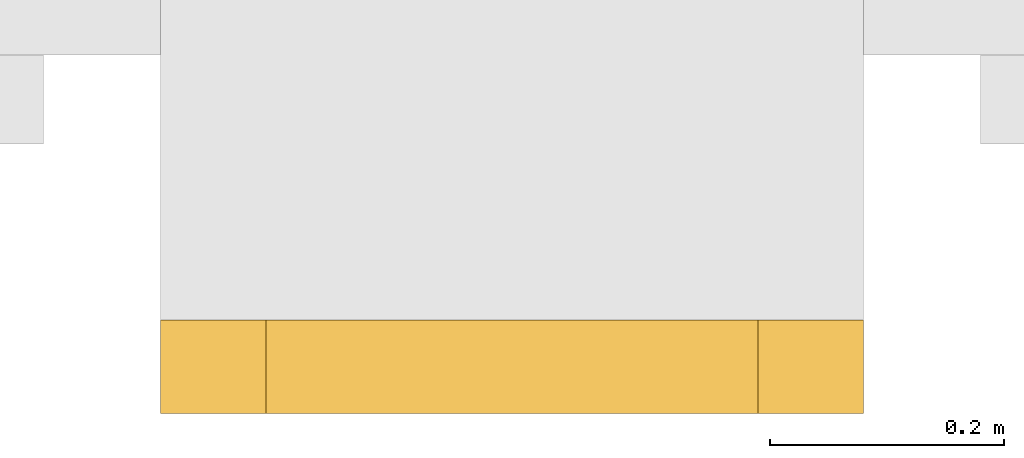
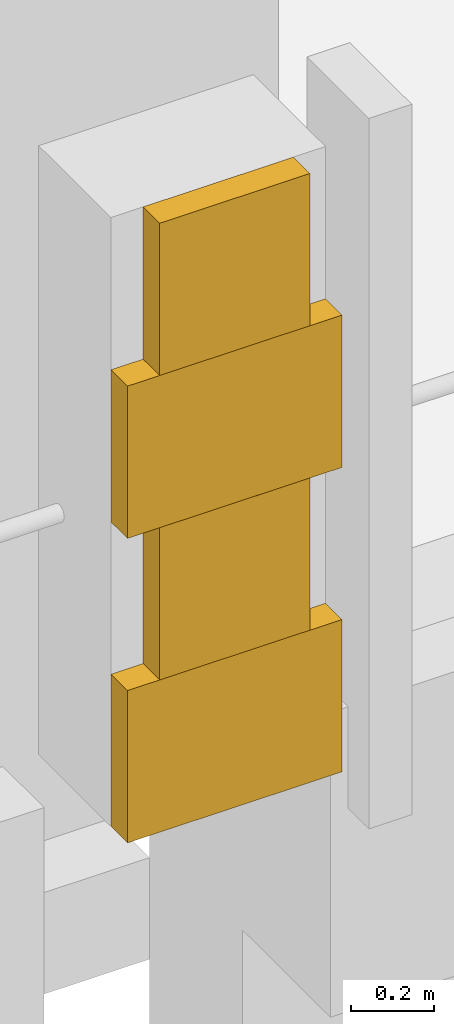
# One storey, part 60 of 62: 4 coverings.
"""IFC4 building model written with IfcOpenShell, lengths in metres."""

from ifc_helpers import new_model, si_unit, direction, frame, origin, place, context, subcontext, project, spatial, polyline, outline, extrude, material, layer, layer_set, type_object, element, save


model = new_model("IFC4")

# Units and contexts
model_context = context("Model", 3, precision=1e-05, world=origin(), true_north=direction((0.0, 1.0)))
body_context = subcontext(model_context, "Body", "Model", "MODEL_VIEW")
ifc_project = project(units=[si_unit("LENGTHUNIT", "METRE"), si_unit("AREAUNIT", "SQUARE_METRE"), si_unit("VOLUMEUNIT", "CUBIC_METRE"), si_unit("PLANEANGLEUNIT", "RADIAN"), si_unit("MASSUNIT", "GRAM", prefix="KILO")], contexts=[model_context])

# Site, building, storey
site_placement = place(None, origin())
site = spatial("IfcSite", under=ifc_project, at=site_placement, CompositionType="ELEMENT")
building_placement = place(site_placement, origin())
building = spatial("IfcBuilding", under=site, at=building_placement, Name="Cour d'Honneur Mobility Palace", CompositionType="ELEMENT")
storey_placement = place(building_placement, frame((0.0, 0.0, 19.300048828125)))
storey = spatial("IfcBuildingStorey", under=building, at=storey_placement, Name="L05", CompositionType="ELEMENT", Elevation=19.300048828125)

# Coverings
ifc_material = material(Name="Cast limestone", Category="masonry")
ifc_layer = layer(ifc_material, 0.080078125)
ifc_layer_set = layer_set([ifc_layer], Name="Cast limestone")
covering_type = type_object("IfcCoveringType", Name="Quoin block", PredefinedType="CLADDING", material=ifc_layer_set)
covering_1_placement = place(storey_placement, frame((0.0, 0.0, 0.300048828125)))
element("IfcCovering", 1, at=covering_1_placement, inside=storey, type_object=covering_type, Name="Quoin block QN-37", PredefinedType="CLADDING", context=body_context, shape_type="SweptSolid", body=[
    extrude(outline(polyline([(153.300048828125, -0.800048828125), (153.89990234375, -0.800048828125), (153.89990234375, -0.8798828125), (153.300048828125, -0.8798828125), (153.300048828125, -0.800048828125)])), origin(), (0.0, 0.0, 1.0), 0.449951171875),
])
covering_2_placement = place(storey_placement, frame((0.0, 0.0, 0.75)))
element("IfcCovering", 2, at=covering_2_placement, inside=storey, type_object=covering_type, Name="Quoin block QN-38", PredefinedType="CLADDING", context=body_context, shape_type="SweptSolid", body=[
    extrude(outline(polyline([(153.389892578125, -0.800048828125), (153.81005859375, -0.800048828125), (153.81005859375, -0.8798828125), (153.389892578125, -0.8798828125), (153.389892578125, -0.800048828125)])), origin(), (0.0, 0.0, 1.0), 0.449951171875),
])
covering_3_placement = place(storey_placement, frame((0.0, 0.0, 1.199951171875)))
element("IfcCovering", 3, at=covering_3_placement, inside=storey, type_object=covering_type, Name="Quoin block QN-39", PredefinedType="CLADDING", context=body_context, shape_type="SweptSolid", body=[
    extrude(outline(polyline([(153.300048828125, -0.800048828125), (153.89990234375, -0.800048828125), (153.89990234375, -0.8798828125), (153.300048828125, -0.8798828125), (153.300048828125, -0.800048828125)])), origin(), (0.0, 0.0, 1.0), 0.449951171875),
])
covering_4_placement = place(storey_placement, frame((0.0, 0.0, 1.64990234375)))
element("IfcCovering", 4, at=covering_4_placement, inside=storey, type_object=covering_type, Name="Quoin block QN-40", PredefinedType="CLADDING", context=body_context, shape_type="SweptSolid", body=[
    extrude(outline(polyline([(153.389892578125, -0.800048828125), (153.81005859375, -0.800048828125), (153.81005859375, -0.8798828125), (153.389892578125, -0.8798828125), (153.389892578125, -0.800048828125)])), origin(), (0.0, 0.0, 1.0), 0.449951171875),
])

save(model, "model.ifc")
